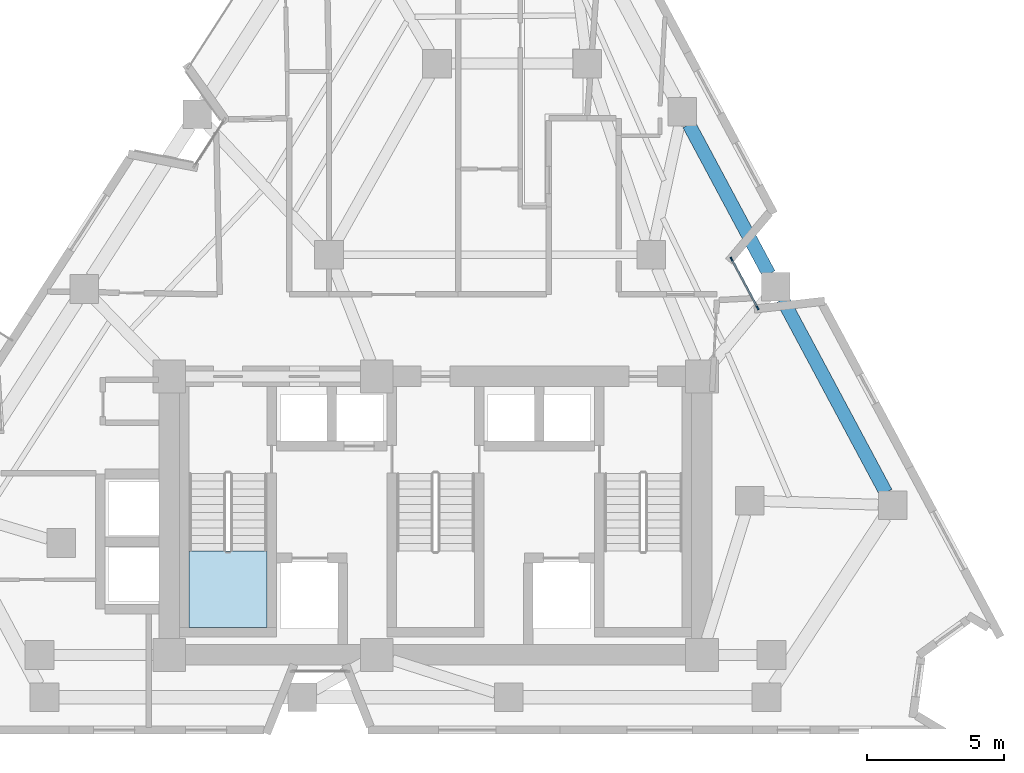
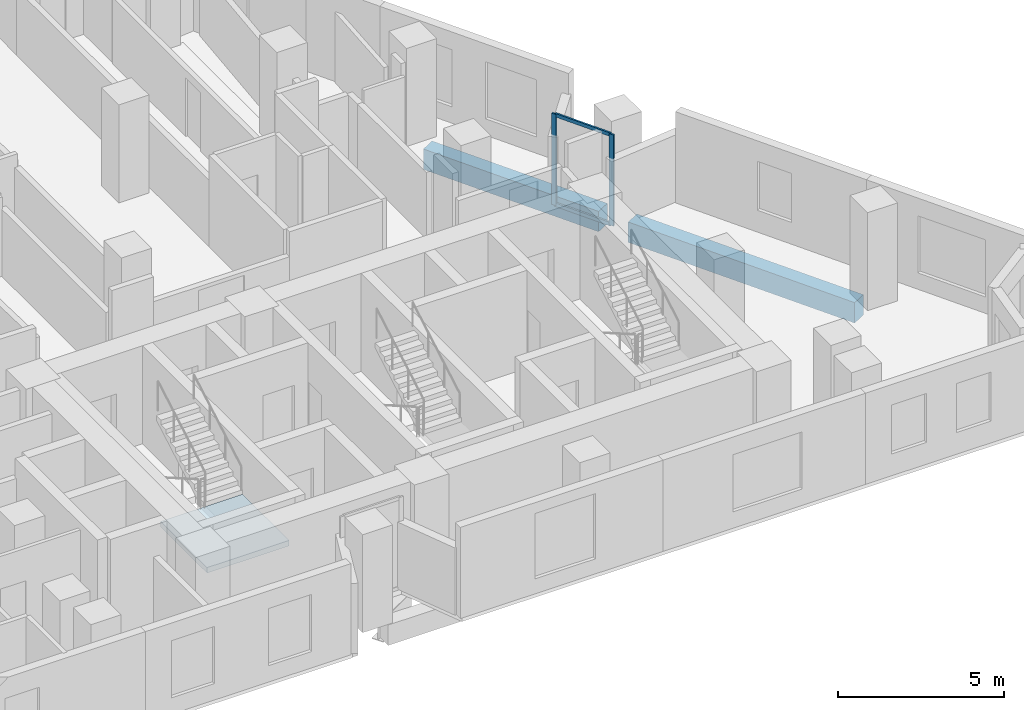
# One storey, part 4 of 11: 4 members, 2 beams, 1 slab, 2 elements without a shape of their own.
"""IFC4 building model written with IfcOpenShell, lengths in metres."""

import ifcopenshell
import ifcopenshell.guid

model = None  # the IFC model being written
_history = None  # IfcOwnerHistory: only IFC2X3 demands one
_inside = {}  # id of a spatial element -> (the spatial element, [elements in it])
_under = {}  # id of a project, library or spatial element -> (it, [spatial elements below it])
_declared = {}  # id of a project -> (the project, [libraries it declares])
_typed = {}  # id of a type object -> (the type object, [elements of that type])
_made_of = {}  # id of a material, layer set ... -> (it, [elements and type objects made of it])


def new_model(schema):
    """Start an empty IFC model of exactly this schema.

    Asked for "IFC4X3", IfcOpenShell would pick the latest addendum, in which some entities
    have other attributes; the version numbers below select the first issue.
    IFC2X3 requires an IfcOwnerHistory on every rooted entity: one is made here for all.
    """
    global model, _history
    if schema == "IFC4X3":
        model = ifcopenshell.file(schema_version=(4, 3, 0, 0))
    else:
        model = ifcopenshell.file(schema=schema)
    _inside.clear()
    _under.clear()
    _declared.clear()
    _typed.clear()
    _made_of.clear()
    _history = None
    if model.schema == "IFC2X3":
        org = make("IfcOrganization", Name="unknown")
        user = make(
            "IfcPersonAndOrganization",
            ThePerson=make("IfcPerson", FamilyName="unknown"),
            TheOrganization=org,
        )
        app = make(
            "IfcApplication",
            ApplicationDeveloper=org,
            Version="unknown",
            ApplicationFullName="unknown",
            ApplicationIdentifier="unknown",
        )
        _history = make(
            "IfcOwnerHistory",
            OwningUser=user,
            OwningApplication=app,
            ChangeAction="ADDED",
            CreationDate=0,
        )
    return model


def make(cls, **values):
    """One entity of the class cls with the attributes given. An attribute that is None is left unset."""
    return model.create_entity(
        cls, **{name: value for name, value in values.items() if value is not None}
    )


def rooted(cls, **values):
    """An entity with a GlobalId (a new one), such as an element, a storey or a relation."""
    return make(cls, GlobalId=ifcopenshell.guid.new(), OwnerHistory=_history, **values)


def si_unit(unit_type, name, prefix=None):
    """IfcSIUnit, for example si_unit("LENGTHUNIT", "METRE", prefix="MILLI")."""
    return make("IfcSIUnit", UnitType=unit_type, Prefix=prefix, Name=name)


def assignment(units):
    """IfcUnitAssignment: the units of a project."""
    return None if units is None else make("IfcUnitAssignment", Units=units)


def point(xyz):
    """IfcCartesianPoint."""
    return None if xyz is None else make("IfcCartesianPoint", Coordinates=xyz)


def direction(xyz):
    """IfcDirection."""
    return None if xyz is None else make("IfcDirection", DirectionRatios=xyz)


def frame(location, z_axis=None, x_axis=None):
    """IfcAxis2Placement3D, a coordinate frame: its origin and axes. An axis left out is left unset."""
    return make(
        "IfcAxis2Placement3D",
        Location=point(location),
        Axis=direction(z_axis),
        RefDirection=direction(x_axis),
    )


def frame_2d(location, x_axis=None):
    """IfcAxis2Placement2D, a coordinate frame in the plane: its origin and x axis."""
    return make(
        "IfcAxis2Placement2D", Location=point(location), RefDirection=direction(x_axis)
    )


def origin():
    """The frame at (0, 0, 0) with its axes left unset."""
    return frame((0.0, 0.0, 0.0))


def origin_2d():
    """The frame at (0, 0) in the plane with its x axis left unset."""
    return frame_2d((0.0, 0.0))


def place(relative_to, where):
    """IfcLocalPlacement: puts the frame where relative to a parent placement (None: the world)."""
    return make(
        "IfcLocalPlacement", PlacementRelTo=relative_to, RelativePlacement=where
    )


def context(
    kind, dimensions, precision=None, world=None, true_north=None, identifier=None
):
    """IfcGeometricRepresentationContext, for example the 3D "Model" context."""
    return make(
        "IfcGeometricRepresentationContext",
        ContextIdentifier=identifier,
        ContextType=kind,
        CoordinateSpaceDimension=dimensions,
        Precision=precision,
        WorldCoordinateSystem=world,
        TrueNorth=true_north,
    )


def subcontext(parent, identifier, kind, view, scale=None):
    """IfcGeometricRepresentationSubContext, for example "Body" below "Model"."""
    return make(
        "IfcGeometricRepresentationSubContext",
        ContextIdentifier=identifier,
        ContextType=kind,
        ParentContext=parent,
        TargetScale=scale,
        TargetView=view,
    )


def project(units=None, contexts=None):
    """IfcProject with its units and contexts."""
    return rooted(
        "IfcProject",
        Name="project",
        RepresentationContexts=contexts,
        UnitsInContext=assignment(units),
    )


def spatial(cls, under=None, at=None, **own):
    """A site, building, storey or space (cls), placed at a placement, below another one or the project."""
    s = rooted(cls, ObjectPlacement=at, **own)
    if under is not None:
        _under.setdefault(under.id(), (under, []))[1].append(s)
    return s


def polyline(points):
    """IfcPolyline through the points."""
    return make("IfcPolyline", Points=[point(p) for p in points])


def profile(cls, at=None, kind="AREA", **sizes):
    """A parametric profile (cls). Its sizes go by their IFC names, for example OverallWidth=200.0."""
    return make(cls, ProfileType=kind, Position=at, **sizes)


def rectangle(**sizes):
    """IfcRectangleProfileDef."""
    return profile("IfcRectangleProfileDef", **sizes)


def outline(outer, holes=None, kind="AREA"):
    """IfcArbitraryClosedProfileDef: a profile drawn as a closed curve; with holes, ...WithVoids."""
    if holes is None:
        return make("IfcArbitraryClosedProfileDef", ProfileType=kind, OuterCurve=outer)
    return make(
        "IfcArbitraryProfileDefWithVoids",
        ProfileType=kind,
        OuterCurve=outer,
        InnerCurves=holes,
    )


def extrude(swept, where, along, depth):
    """IfcExtrudedAreaSolid: the profile swept, set in the frame where, extruded along a direction by depth."""
    return make(
        "IfcExtrudedAreaSolid",
        SweptArea=swept,
        Position=where,
        ExtrudedDirection=direction(along),
        Depth=depth,
    )


def shape(context_of_items, identifier, shape_type, items):
    """IfcShapeRepresentation: the items that make up one representation, for example the "Body"."""
    return make(
        "IfcShapeRepresentation",
        ContextOfItems=context_of_items,
        RepresentationIdentifier=identifier,
        RepresentationType=shape_type,
        Items=items,
    )


def material(Name=None, Category=None):
    """IfcMaterial."""
    return make("IfcMaterial", Name=Name, Category=Category)


def layer(
    of_material, thickness, ventilated=None, Name=None, Category=None, Priority=None
):
    """IfcMaterialLayer: one layer of a wall or slab, of a material (None: an air gap)."""
    return make(
        "IfcMaterialLayer",
        Material=of_material,
        LayerThickness=thickness,
        IsVentilated=ventilated,
        Name=Name,
        Category=Category,
        Priority=Priority,
    )


def layer_set(layers, Name=None):
    """IfcMaterialLayerSet."""
    return make("IfcMaterialLayerSet", MaterialLayers=layers, LayerSetName=Name)


def material_profile(
    of_material, cross_section, Name=None, Category=None, Priority=None
):
    """IfcMaterialProfile: a cross section and its material."""
    return make(
        "IfcMaterialProfile",
        Name=Name,
        Material=of_material,
        Profile=cross_section,
        Priority=Priority,
        Category=Category,
    )


def profile_set(profiles, Name=None, composite=None):
    """IfcMaterialProfileSet."""
    return make(
        "IfcMaterialProfileSet",
        Name=Name,
        MaterialProfiles=profiles,
        CompositeProfile=composite,
    )


def made_of(thing, what):
    """Note that an element or type object is made of a material, layer set ...; save() writes the relation."""
    if what is not None:
        _made_of.setdefault(what.id(), (what, []))[1].append(thing)
    return thing


def type_object(cls, material=None, **own):
    """A type object (cls), such as IfcWallType, which elements share."""
    return made_of(rooted(cls, **own), material)


def element(
    cls,
    number,
    at=None,
    inside=None,
    cuts=None,
    type_object=None,
    material=None,
    context=None,
    identifier="Body",
    shape_type=None,
    held_by="IfcProductDefinitionShape",
    body=None,
    shapes=None,
    **own,
):
    """One element of the class cls, such as IfcWall. Its Tag is "e" and its number.

    at: its placement. inside: the storey or other place that contains it. cuts: it is an
    opening in that element (IfcRelVoidsElement). A single representation is given by context,
    identifier, shape_type and body (its items); several are given by shapes. held_by: the class
    of the entity that holds the representations. save() writes the other relations.
    """
    e = rooted(cls, Tag="e%d" % number, ObjectPlacement=at, **own)
    if body is not None:
        shapes = [shape(context, identifier, shape_type, body)]
    if shapes is not None:
        e.Representation = make(held_by, Representations=shapes)
    if inside is not None:
        _inside.setdefault(inside.id(), (inside, []))[1].append(e)
    if cuts is not None:
        rooted(
            "IfcRelVoidsElement", RelatingBuildingElement=cuts, RelatedOpeningElement=e
        )
    if type_object is not None:
        _typed.setdefault(type_object.id(), (type_object, []))[1].append(e)
    return made_of(e, material)


def aggregate(whole, parts):
    """IfcRelAggregates: a whole, such as a stair, and the parts it consists of."""
    return rooted("IfcRelAggregates", RelatingObject=whole, RelatedObjects=parts)


def save(model, path):
    """Write the relations noted so far, then the file.

    IfcRelAggregates (storeys below a building ...), IfcRelContainedInSpatialStructure (elements
    in a storey), IfcRelDefinesByType, IfcRelAssociatesMaterial and IfcRelDeclares: one each for
    every whole, place, type object, material and project.
    """
    for whole, parts in _under.values():
        aggregate(whole, parts)
    for where, things in _inside.values():
        rooted(
            "IfcRelContainedInSpatialStructure",
            RelatedElements=things,
            RelatingStructure=where,
        )
    for kind, things in _typed.values():
        rooted("IfcRelDefinesByType", RelatedObjects=things, RelatingType=kind)
    for what, things in _made_of.values():
        rooted("IfcRelAssociatesMaterial", RelatedObjects=things, RelatingMaterial=what)
    for by, libraries in _declared.values():
        rooted("IfcRelDeclares", RelatingContext=by, RelatedDefinitions=libraries)
    model.write(path)


model = new_model("IFC4")

# Units and contexts
model_context = context("Model", 3, precision=1e-05, world=origin(), true_north=direction((0.0, 1.0)))
body_context = subcontext(model_context, "Body", "Model", "MODEL_VIEW")
ifc_project = project(units=[si_unit("LENGTHUNIT", "METRE"), si_unit("AREAUNIT", "SQUARE_METRE"), si_unit("VOLUMEUNIT", "CUBIC_METRE"), si_unit("PLANEANGLEUNIT", "RADIAN"), si_unit("MASSUNIT", "GRAM", prefix="KILO")], contexts=[model_context])

# Site, building, storey
site_placement = place(None, origin())
site = spatial("IfcSite", under=ifc_project, at=site_placement, CompositionType="ELEMENT")
building_placement = place(site_placement, origin())
building = spatial("IfcBuilding", under=site, at=building_placement, Name="Almagre Mirador Tower", CompositionType="ELEMENT")
storey_placement = place(building_placement, frame((0.0, 0.0, 178.800048828125)))
storey = spatial("IfcBuildingStorey", under=building, at=storey_placement, Name="L46", CompositionType="ELEMENT", Elevation=178.800048828125)

# Beams
ifc_material_1 = material(Name="Precast concrete C50/60", Category="concrete")
ifc_material_profile_1 = material_profile(ifc_material_1, rectangle(XDim=0.5, YDim=0.75, at=origin_2d()), Name="RC500X750")
ifc_profile_set_1 = profile_set([ifc_material_profile_1], Name="Precast concrete C50/60")
beam_type = type_object("IfcBeamType", Name="BM-SPN-RC500X750", PredefinedType="SPANDREL", material=ifc_profile_set_1)
beam_1_placement = place(storey_placement, frame((53.786376953125, 10.496826171875, -0.625), z_axis=(-0.471728183201, 0.881744022477, 0.0), x_axis=(-0.881744022477, -0.471728183201, 0.0)))
element("IfcBeam", 1, at=beam_1_placement, inside=storey, type_object=beam_type, Name="L46 perimeter spandrel beam PC05-PC06", PredefinedType="SPANDREL", context=body_context, shape_type="SweptSolid", body=[
    extrude(rectangle(XDim=0.5, YDim=0.75, at=origin_2d()), origin(), (0.0, 0.0, 1.0), 8.02294921875),
])
beam_2_placement = place(storey_placement, frame((49.50634765625, 18.496826171875, -0.625), z_axis=(-0.471722643875, 0.881746985963, 0.0), x_axis=(-0.881746985963, -0.471722643875, 0.0)))
element("IfcBeam", 2, at=beam_2_placement, inside=storey, type_object=beam_type, Name="L46 perimeter spandrel beam PC06-PC07", PredefinedType="SPANDREL", context=body_context, shape_type="SweptSolid", body=[
    extrude(rectangle(XDim=0.5, YDim=0.75, at=origin_2d()), origin(), (0.0, 0.0, 1.0), 6.20849609375),
])

# Curtain wall, members
ifc_material_2 = material(Name="Black anodized aluminium", Category="aluminium")
ifc_layer_1 = layer(ifc_material_2, 0.169921875)
ifc_layer_set_1 = layer_set([ifc_layer_1], Name="Black anodized aluminium")
curtain_wall_type = type_object("IfcCurtainWallType", Name="CW-CRS-SYS", PredefinedType="NOTDEFINED", material=ifc_layer_set_1)
curtain_wall_placement = place(storey_placement, origin())
curtain_wall = element("IfcCurtainWall", 3, at=curtain_wall_placement, inside=storey, type_object=curtain_wall_type, Name="L46 vertical crease curtain wall 03", PredefinedType="NOTDEFINED")
ifc_material_3 = material(Name="Black anodized aluminium", Category="aluminium")
ifc_material_profile_2 = material_profile(ifc_material_3, rectangle(XDim=0.06005859375, YDim=0.14990234375, at=origin_2d()), Name="CWM60X150")
ifc_profile_set_2 = profile_set([ifc_material_profile_2], Name="Black anodized aluminium")
member_type_1 = type_object("IfcMemberType", Name="MBR-CWM60X150", PredefinedType="MULLION", material=ifc_profile_set_2)
member_1_placement = place(storey_placement, frame((48.13525390625, 19.045654296875, 0.0), z_axis=(0.0, 0.0, 1.0), x_axis=(0.881742992316, 0.47173010875, 0.0)))
member_1 = element("IfcMember", 4, at=member_1_placement, type_object=member_type_1, Name="CW-4 mullion 1", PredefinedType="MULLION", context=body_context, shape_type="SweptSolid", body=[
    extrude(rectangle(XDim=0.06005859375, YDim=0.14990234375, at=origin_2d()), origin(), (0.0, 0.0, 1.0), 3.349853515625),
])
member_2_placement = place(storey_placement, frame((49.0927734375, 17.25537109375, 0.0), z_axis=(0.0, 0.0, 1.0), x_axis=(0.881742992316, 0.47173010875, 0.0)))
member_2 = element("IfcMember", 5, at=member_2_placement, type_object=member_type_1, Name="CW-4 mullion 2", PredefinedType="MULLION", context=body_context, shape_type="SweptSolid", body=[
    extrude(rectangle(XDim=0.06005859375, YDim=0.14990234375, at=origin_2d()), origin(), (0.0, 0.0, 1.0), 3.349853515625),
])
ifc_material_4 = material(Name="Black anodized aluminium", Category="aluminium")
ifc_material_profile_3 = material_profile(ifc_material_4, rectangle(XDim=0.06005859375, YDim=0.1298828125, at=origin_2d()), Name="CWT60X130")
ifc_profile_set_3 = profile_set([ifc_material_profile_3], Name="Black anodized aluminium")
member_type_2 = type_object("IfcMemberType", Name="MBR-CWT60X130", PredefinedType="USERDEFINED", material=ifc_profile_set_3)
member_3_placement = place(storey_placement, frame((48.1494140625, 19.01904296875, 0.030029296875), z_axis=(0.471681382724, -0.881769058876, 0.0), x_axis=(0.881769058876, 0.471681382724, 0.0)))
member_3 = element("IfcMember", 6, at=member_3_placement, type_object=member_type_2, Name="CW-4 transom 1.1", ObjectType="TRANSOM", PredefinedType="USERDEFINED", context=body_context, shape_type="SweptSolid", body=[
    extrude(rectangle(XDim=0.06005859375, YDim=0.1298828125, at=origin_2d()), origin(), (0.0, 0.0, 1.0), 1.969970703125),
])
member_4_placement = place(storey_placement, frame((48.1494140625, 19.01904296875, 3.320068359375), z_axis=(0.471681382724, -0.881769058876, 0.0), x_axis=(0.881769058876, 0.471681382724, 0.0)))
member_4 = element("IfcMember", 7, at=member_4_placement, type_object=member_type_2, Name="CW-4 transom 1.2", ObjectType="TRANSOM", PredefinedType="USERDEFINED", context=body_context, shape_type="SweptSolid", body=[
    extrude(rectangle(XDim=0.06005859375, YDim=0.1298828125, at=origin_2d()), origin(), (0.0, 0.0, 1.0), 1.969970703125),
])
aggregate(curtain_wall, [member_1, member_2, member_3, member_4])

# Stair, slab
ifc_material_5 = material(Name="Concrete C45/55", Category="concrete")
stair_type = type_object("IfcStairType", Name="STR-DL-3600", PredefinedType="HALF_TURN_STAIR", material=ifc_material_5)
stair_placement = place(storey_placement, origin())
stair = element("IfcStair", 8, at=stair_placement, inside=storey, type_object=stair_type, Name="L46 Protected exit stair ST-1", PredefinedType="HALF_TURN_STAIR")
ifc_material_6 = material(Name="Concrete C45/55", Category="concrete")
ifc_layer_2 = layer(ifc_material_6, 0.199951171875)
ifc_layer_set_2 = layer_set([ifc_layer_2], Name="Concrete C45/55")
slab_type = type_object("IfcSlabType", Name="SLB-LND-200", PredefinedType="LANDING", material=ifc_layer_set_2)
slab_placement = place(storey_placement, frame((0.0, 0.0, 1.599853515625)))
slab = element("IfcSlab", 9, at=slab_placement, type_object=slab_type, Name="ST-1 landing 1", PredefinedType="LANDING", context=body_context, shape_type="SweptSolid", body=[
    extrude(outline(polyline([(28.27490234375, 8.35009765625), (28.27490234375, 5.550048828125), (31.125, 5.550048828125), (31.125, 8.35009765625), (28.27490234375, 8.35009765625)])), origin(), (0.0, 0.0, 1.0), 0.2001953125),
])
aggregate(stair, [slab])

save(model, "model.ifc")
